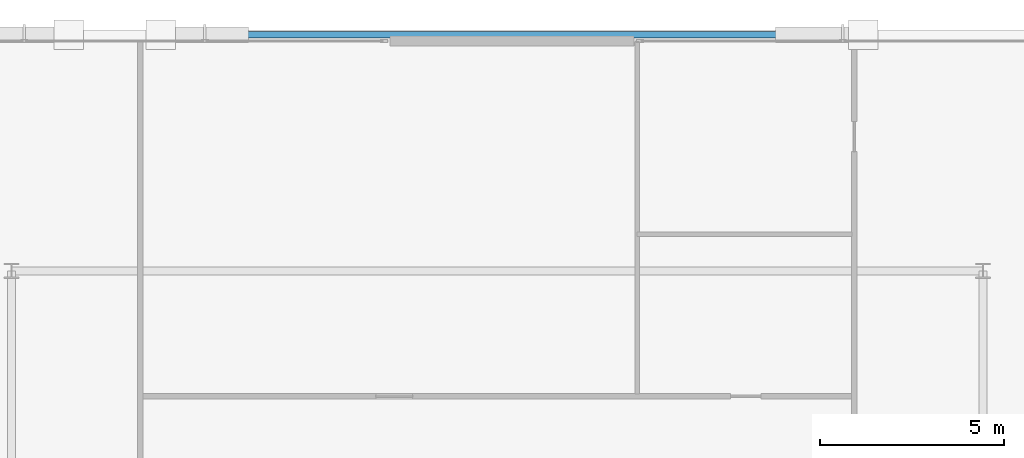
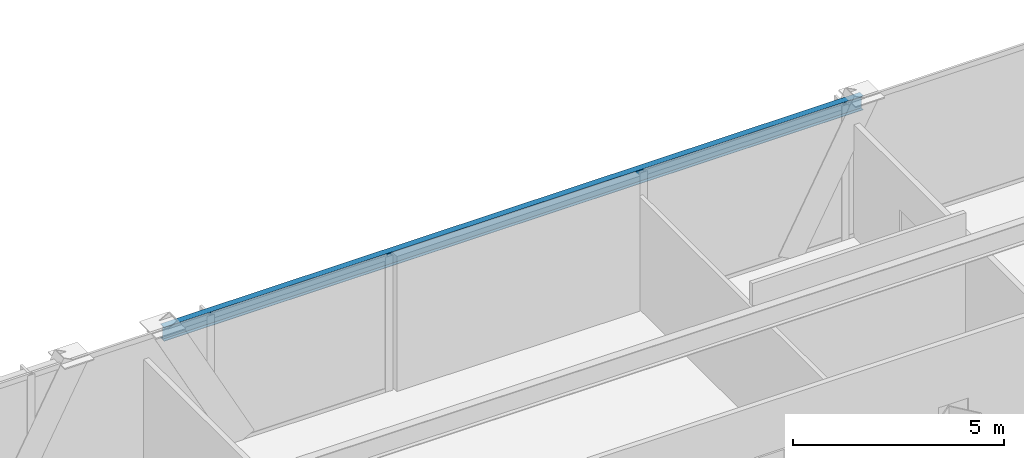
# One storey, part 33 of 46: 1 beam.
"""IFC4 building model written with IfcOpenShell, lengths in metres."""

from ifc_helpers import new_model, si_unit, direction, frame, origin, origin_2d, place, context, subcontext, project, spatial, i_section, extrude, material, material_profile, profile_set, type_object, element, save


model = new_model("IFC4")

# Units and contexts
model_context = context("Model", 3, precision=1e-05, world=origin(), true_north=direction((0.0, 1.0)))
body_context = subcontext(model_context, "Body", "Model", "MODEL_VIEW")
ifc_project = project(units=[si_unit("LENGTHUNIT", "METRE"), si_unit("AREAUNIT", "SQUARE_METRE"), si_unit("VOLUMEUNIT", "CUBIC_METRE"), si_unit("PLANEANGLEUNIT", "RADIAN"), si_unit("MASSUNIT", "GRAM", prefix="KILO")], contexts=[model_context])

# Site, building, storey
site_placement = place(None, origin())
site = spatial("IfcSite", under=ifc_project, at=site_placement, CompositionType="ELEMENT")
building_placement = place(site_placement, origin())
building = spatial("IfcBuilding", under=site, at=building_placement, Name="Orvanel Arch Residences", CompositionType="ELEMENT")
storey_placement = place(building_placement, frame((0.0, 0.0, 14.10009765625)))
storey = spatial("IfcBuildingStorey", under=building, at=storey_placement, Name="L03", CompositionType="ELEMENT", Elevation=14.10009765625)

# Beam
ifc_material = material(Name="Structural steel AS/NZS 3679.1 Grade 300 (300 MPa)", Category="steel")
ifc_material_profile = material_profile(ifc_material, i_section(OverallWidth=0.177978515625, OverallDepth=0.406005859375, WebThickness=0.0078125, FlangeThickness=0.0126953125, at=origin_2d()), Name="410UB59.7")
ifc_profile_set = profile_set([ifc_material_profile], Name="Structural steel AS/NZS 3679.1 Grade 300 (300 MPa)")
beam_type = type_object("IfcBeamType", Name="OB-410UB-EXT", PredefinedType="SPANDREL", material=ifc_profile_set)
beam_placement = place(storey_placement, frame((23.85009765625, 54.419921875, 3.697021484375), z_axis=(1.0, 0.0, 0.0), x_axis=(0.0, 1.0, 0.0)))
element("IfcBeam", 1, at=beam_placement, inside=storey, type_object=beam_type, Name="L03 Podium V-Frame Collector Spandrel Beam N2", PredefinedType="SPANDREL", context=body_context, shape_type="SweptSolid", body=[
    extrude(i_section(OverallWidth=0.177978515625, OverallDepth=0.406005859375, WebThickness=0.0078125, FlangeThickness=0.0126953125, at=origin_2d()), origin(), (0.0, 0.0, 1.0), 19.099853515625),
])

save(model, "model.ifc")
